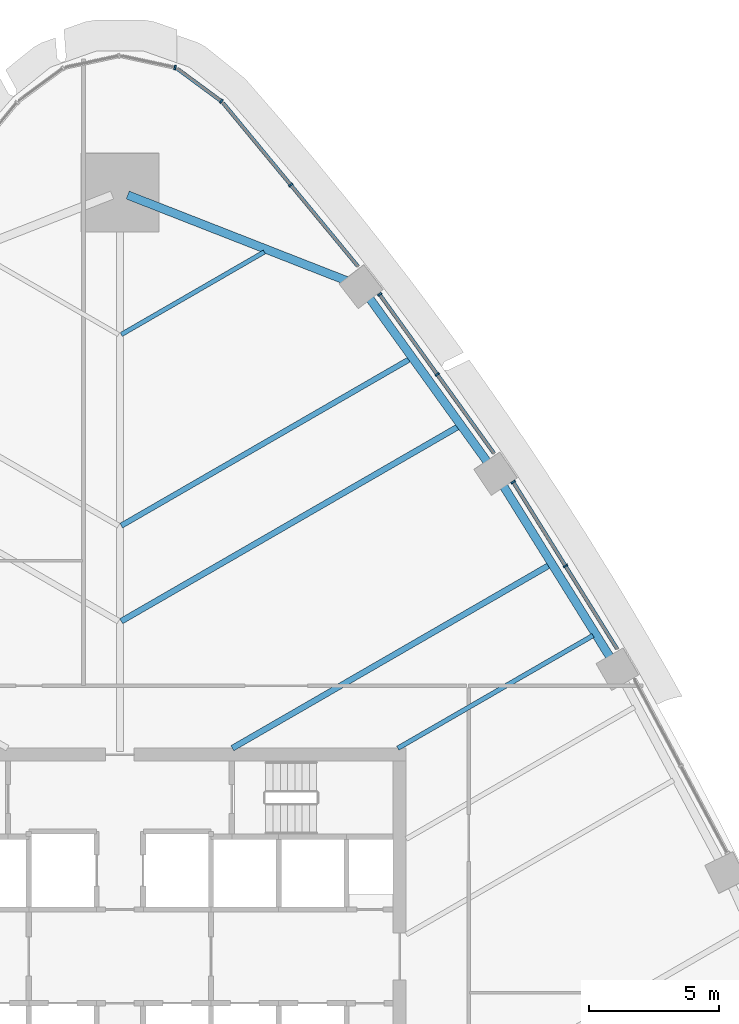
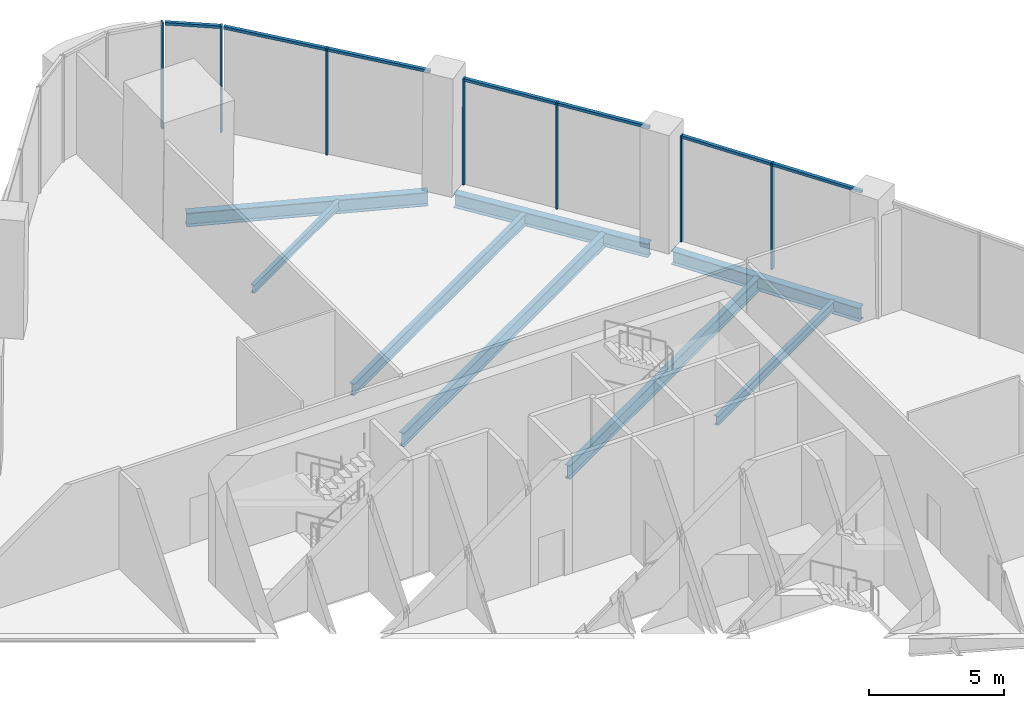
# One storey, part 7 of 16: 14 members, 8 beams, 5 elements without a shape of their own.
"""IFC4 building model written with IfcOpenShell, lengths in metres."""

from ifc_helpers import new_model, si_unit, direction, frame, origin, origin_2d, place, context, subcontext, project, spatial, rectangle, i_section, extrude, material, layer, layer_set, material_profile, profile_set, type_object, element, aggregate, save


model = new_model("IFC4")

# Units and contexts
model_context = context("Model", 3, precision=1e-05, world=origin(), true_north=direction((0.0, 1.0)))
body_context = subcontext(model_context, "Body", "Model", "MODEL_VIEW")
ifc_project = project(units=[si_unit("LENGTHUNIT", "METRE"), si_unit("AREAUNIT", "SQUARE_METRE"), si_unit("VOLUMEUNIT", "CUBIC_METRE"), si_unit("PLANEANGLEUNIT", "RADIAN"), si_unit("MASSUNIT", "GRAM", prefix="KILO")], contexts=[model_context])

# Site, building, storey
site_placement = place(None, origin())
site = spatial("IfcSite", under=ifc_project, at=site_placement, CompositionType="ELEMENT")
building_placement = place(site_placement, origin())
building = spatial("IfcBuilding", under=site, at=building_placement, Name="Sierra Prisma Convention Tower", CompositionType="ELEMENT")
storey_placement = place(building_placement, frame((0.0, 0.0, 107.199951171875)))
storey = spatial("IfcBuildingStorey", under=building, at=storey_placement, Name="L23", CompositionType="ELEMENT", Elevation=107.199951171875)

# Curtain wall, members
ifc_material_1 = material(Name="Aluminium and glass curtain wall", Category="aluminium")
ifc_layer = layer(ifc_material_1, 0.179931640625)
ifc_layer_set = layer_set([ifc_layer], Name="CW-1 Plain shaft curtain wall")
curtain_wall_type = type_object("IfcCurtainWallType", Name="CW-1 Plain shaft curtain wall", PredefinedType="NOTDEFINED", material=ifc_layer_set)
curtain_wall_1_placement = place(storey_placement, origin())
curtain_wall_1 = element("IfcCurtainWall", 1, at=curtain_wall_1_placement, inside=storey, type_object=curtain_wall_type, Name="CW-1 NE4 L23", PredefinedType="NOTDEFINED")
ifc_material_2 = material(Name="Aluminium 6063-T6 bronze anodised", Category="aluminium")
ifc_material_profile_1 = material_profile(ifc_material_2, rectangle(XDim=0.179931640625, YDim=0.070068359375, at=origin_2d()), Name="ALU MULLION 70x180")
ifc_profile_set_1 = profile_set([ifc_material_profile_1], Name="Aluminium 6063-T6 bronze anodised")
member_type_1 = type_object("IfcMemberType", Name="CW mullion bronze", PredefinedType="MULLION", material=ifc_profile_set_1)
member_1_placement = place(storey_placement, frame((17.117919921875, 15.0009765625, 0.0), z_axis=(0.0, 0.0, 1.0), x_axis=(-0.848873506937, -0.528596035948, 0.0)))
member_1 = element("IfcMember", 2, at=member_1_placement, type_object=member_type_1, Name="CW-1 mullion NE4.2", PredefinedType="MULLION", context=body_context, shape_type="SweptSolid", body=[
    extrude(rectangle(XDim=0.179931640625, YDim=0.070068359375, at=origin_2d()), origin(), (0.0, 0.0, 1.0), 4.800048828125),
])
member_2_placement = place(storey_placement, frame((15.109130859375, 18.226806640625, 0.0), z_axis=(0.0, 0.0, 1.0), x_axis=(-0.848873506937, -0.528596035948, 0.0)))
member_2 = element("IfcMember", 3, at=member_2_placement, type_object=member_type_1, Name="CW-1 mullion NE4.3", PredefinedType="MULLION", context=body_context, shape_type="SweptSolid", body=[
    extrude(rectangle(XDim=0.179931640625, YDim=0.070068359375, at=origin_2d()), origin(), (0.0, 0.0, 1.0), 4.800048828125),
])

curtain_wall_2_placement = place(storey_placement, origin())
curtain_wall_2 = element("IfcCurtainWall", 4, at=curtain_wall_2_placement, inside=storey, type_object=curtain_wall_type, Name="CW-1 NE5 L23", PredefinedType="NOTDEFINED")
member_3_placement = place(storey_placement, frame((12.18603515625, 22.364013671875, 0.0), z_axis=(0.0, 0.0, 1.0), x_axis=(-0.811758193893, -0.583993694014, 0.0)))
member_3 = element("IfcMember", 5, at=member_3_placement, type_object=member_type_1, Name="CW-1 mullion NE5.2", PredefinedType="MULLION", context=body_context, shape_type="SweptSolid", body=[
    extrude(rectangle(XDim=0.179931640625, YDim=0.070068359375, at=origin_2d()), origin(), (0.0, 0.0, 1.0), 4.800048828125),
])
member_4_placement = place(storey_placement, frame((9.975830078125, 25.43603515625, 0.0), z_axis=(0.0, 0.0, 1.0), x_axis=(-0.811758193893, -0.583993694014, 0.0)))
member_4 = element("IfcMember", 6, at=member_4_placement, type_object=member_type_1, Name="CW-1 mullion NE5.3", PredefinedType="MULLION", context=body_context, shape_type="SweptSolid", body=[
    extrude(rectangle(XDim=0.179931640625, YDim=0.070068359375, at=origin_2d()), origin(), (0.0, 0.0, 1.0), 4.800048828125),
])

# Curtain wall, member
curtain_wall_3_placement = place(storey_placement, origin())
curtain_wall_3 = element("IfcCurtainWall", 7, at=curtain_wall_3_placement, inside=storey, type_object=curtain_wall_type, Name="CW-1 NE6 L23", PredefinedType="NOTDEFINED")
member_5_placement = place(storey_placement, frame((6.560546875, 29.642333984375, 0.0), z_axis=(0.0, 0.0, 1.0), x_axis=(-0.771033441088, -0.636794655069, 0.0)))
member_5 = element("IfcMember", 8, at=member_5_placement, type_object=member_type_1, Name="CW-1 mullion NE6.2", PredefinedType="MULLION", context=body_context, shape_type="SweptSolid", body=[
    extrude(rectangle(XDim=0.179931640625, YDim=0.070068359375, at=origin_2d()), origin(), (0.0, 0.0, 1.0), 4.800048828125),
])

curtain_wall_4_placement = place(storey_placement, origin())
curtain_wall_4 = element("IfcCurtainWall", 9, at=curtain_wall_4_placement, inside=storey, type_object=curtain_wall_type, Name="CW-1 N1 L23", PredefinedType="NOTDEFINED")
member_6_placement = place(storey_placement, frame((3.895263671875, 32.85595703125, 0.0), z_axis=(0.0, 0.0, 1.0), x_axis=(-0.593448438841, -0.80487200873, 0.0)))
member_6 = element("IfcMember", 10, at=member_6_placement, type_object=member_type_1, Name="CW-1 mullion N1.1", PredefinedType="MULLION", context=body_context, shape_type="SweptSolid", body=[
    extrude(rectangle(XDim=0.179931640625, YDim=0.070068359375, at=origin_2d()), origin(), (0.0, 0.0, 1.0), 4.800048828125),
])

curtain_wall_5_placement = place(storey_placement, origin())
curtain_wall_5 = element("IfcCurtainWall", 11, at=curtain_wall_5_placement, inside=storey, type_object=curtain_wall_type, Name="CW-1 N2 L23", PredefinedType="NOTDEFINED")
member_7_placement = place(storey_placement, frame((2.11767578125, 34.148681640625, 0.0), z_axis=(0.0, 0.0, 1.0), x_axis=(-0.210199343942, -0.977658547657, 0.0)))
member_7 = element("IfcMember", 12, at=member_7_placement, type_object=member_type_1, Name="CW-1 mullion N2.1", PredefinedType="MULLION", context=body_context, shape_type="SweptSolid", body=[
    extrude(rectangle(XDim=0.179931640625, YDim=0.070068359375, at=origin_2d()), origin(), (0.0, 0.0, 1.0), 4.800048828125),
])
aggregate(curtain_wall_5, [member_7])

# Member
ifc_material_3 = material(Name="Aluminium 6063-T6 bronze anodised", Category="aluminium")
ifc_material_profile_2 = material_profile(ifc_material_3, rectangle(XDim=0.139892578125, YDim=0.1201171875, at=origin_2d()), Name="ALU TRANSOM 120x140")
ifc_profile_set_2 = profile_set([ifc_material_profile_2], Name="Aluminium 6063-T6 bronze anodised")
member_type_2 = type_object("IfcMemberType", Name="CW transom bronze", PredefinedType="USERDEFINED", material=ifc_profile_set_2)
member_8_placement = place(storey_placement, frame((19.10791015625, 11.80517578125, 4.739990234375), z_axis=(-0.528603839694, 0.848868647472, 0.0), x_axis=(-0.848868647472, -0.528603839694, 0.0)))
member_8 = element("IfcMember", 13, at=member_8_placement, type_object=member_type_2, Name="CW-1 transom NE4.1", ObjectType="TRANSOM", PredefinedType="USERDEFINED", context=body_context, shape_type="SweptSolid", body=[
    extrude(rectangle(XDim=0.139892578125, YDim=0.1201171875, at=origin_2d()), origin(), (0.0, 0.0, 1.0), 3.72998046875),
])

member_9_placement = place(storey_placement, frame((17.099365234375, 15.03076171875, 4.739990234375), z_axis=(-0.528603839694, 0.848868647472, 0.0), x_axis=(-0.848868647472, -0.528603839694, 0.0)))
member_9 = element("IfcMember", 14, at=member_9_placement, type_object=member_type_2, Name="CW-1 transom NE4.2", ObjectType="TRANSOM", PredefinedType="USERDEFINED", context=body_context, shape_type="SweptSolid", body=[
    extrude(rectangle(XDim=0.139892578125, YDim=0.1201171875, at=origin_2d()), origin(), (0.0, 0.0, 1.0), 3.72998046875),
])

aggregate(curtain_wall_1, [member_1, member_2, member_8, member_9])

member_10_placement = place(storey_placement, frame((14.375732421875, 19.3203125, 4.739990234375), z_axis=(-0.584044976134, 0.811721298139, 0.0), x_axis=(-0.811721298139, -0.584044976134, 0.0)))
member_10 = element("IfcMember", 15, at=member_10_placement, type_object=member_type_2, Name="CW-1 transom NE5.1", ObjectType="TRANSOM", PredefinedType="USERDEFINED", context=body_context, shape_type="SweptSolid", body=[
    extrude(rectangle(XDim=0.139892578125, YDim=0.1201171875, at=origin_2d()), origin(), (0.0, 0.0, 1.0), 3.714599609375),
])

member_11_placement = place(storey_placement, frame((12.16552734375, 22.392333984375, 4.739990234375), z_axis=(-0.583970508517, 0.811774873461, 0.0), x_axis=(-0.811774873461, -0.583970508517, 0.0)))
member_11 = element("IfcMember", 16, at=member_11_placement, type_object=member_type_2, Name="CW-1 transom NE5.2", ObjectType="TRANSOM", PredefinedType="USERDEFINED", context=body_context, shape_type="SweptSolid", body=[
    extrude(rectangle(XDim=0.139892578125, YDim=0.1201171875, at=origin_2d()), origin(), (0.0, 0.0, 1.0), 3.714599609375),
])

aggregate(curtain_wall_2, [member_3, member_4, member_10, member_11])

member_12_placement = place(storey_placement, frame((9.153076171875, 26.503173828125, 4.739990234375), z_axis=(-0.636804849916, 0.771025021075, 0.0), x_axis=(-0.771025021075, -0.636804849916, 0.0)))
member_12 = element("IfcMember", 17, at=member_12_placement, type_object=member_type_2, Name="CW-1 transom NE6.1", ObjectType="TRANSOM", PredefinedType="USERDEFINED", context=body_context, shape_type="SweptSolid", body=[
    extrude(rectangle(XDim=0.139892578125, YDim=0.1201171875, at=origin_2d()), origin(), (0.0, 0.0, 1.0), 4.036376953125),
])

member_13_placement = place(storey_placement, frame((6.538330078125, 29.669189453125, 4.739990234375), z_axis=(-0.636804849916, 0.771025021075, 0.0), x_axis=(-0.771025021075, -0.636804849916, 0.0)))
member_13 = element("IfcMember", 18, at=member_13_placement, type_object=member_type_2, Name="CW-1 transom NE6.2", ObjectType="TRANSOM", PredefinedType="USERDEFINED", context=body_context, shape_type="SweptSolid", body=[
    extrude(rectangle(XDim=0.139892578125, YDim=0.1201171875, at=origin_2d()), origin(), (0.0, 0.0, 1.0), 4.036376953125),
])

aggregate(curtain_wall_3, [member_5, member_12, member_13])

member_14_placement = place(storey_placement, frame((3.8671875, 32.876708984375, 4.739990234375), z_axis=(-0.804877166804, 0.593441443074, 0.0), x_axis=(-0.593441443074, -0.804877166804, 0.0)))
member_14 = element("IfcMember", 19, at=member_14_placement, type_object=member_type_2, Name="CW-1 transom N1.1", ObjectType="TRANSOM", PredefinedType="USERDEFINED", context=body_context, shape_type="SweptSolid", body=[
    extrude(rectangle(XDim=0.139892578125, YDim=0.1201171875, at=origin_2d()), origin(), (0.0, 0.0, 1.0), 2.06103515625),
])

aggregate(curtain_wall_4, [member_6, member_14])

# Beams
ifc_material_4 = material(Name="Steel ASTM A992 Gr 50", Category="steel")
ifc_material_profile_3 = material_profile(ifc_material_4, i_section(OverallWidth=0.172119140625, OverallDepth=0.35791015625, WebThickness=0.0078125, FlangeThickness=0.01318359375, at=origin_2d()), Name="W360x57")
ifc_profile_set_3 = profile_set([ifc_material_profile_3], Name="Steel ASTM A992 Gr 50")
beam_type_1 = type_object("IfcBeamType", Name="Floor joist W360x57", PredefinedType="JOIST", material=ifc_profile_set_3)
beam_1_placement = place(storey_placement, frame((5.547119140625, 27.064453125, -0.328857421875), z_axis=(-0.86602024565, -0.500008934044, 0.0), x_axis=(0.500008934044, -0.86602024565, 0.0)))
element("IfcBeam", 20, at=beam_1_placement, inside=storey, type_object=beam_type_1, Name="Floor joist L23 NE15", PredefinedType="JOIST", context=body_context, shape_type="SweptSolid", body=[
    extrude(i_section(OverallWidth=0.172119140625, OverallDepth=0.35791015625, WebThickness=0.0078125, FlangeThickness=0.01318359375, at=origin_2d()), origin(), (0.0, 0.0, 1.0), 6.34423828125),
])
ifc_material_5 = material(Name="Steel ASTM A992 Gr 50", Category="steel")
ifc_material_profile_4 = material_profile(ifc_material_5, i_section(OverallWidth=0.177978515625, OverallDepth=0.406982421875, WebThickness=0.0078125, FlangeThickness=0.0126953125, at=origin_2d()), Name="W410x60")
ifc_profile_set_4 = profile_set([ifc_material_profile_4], Name="Steel ASTM A992 Gr 50")
beam_type_2 = type_object("IfcBeamType", Name="Floor joist W410x60", PredefinedType="JOIST", material=ifc_profile_set_4)
beam_2_placement = place(storey_placement, frame((18.177490234375, 12.330322265625, -0.353515625), z_axis=(-0.866022689266, -0.500004701654, 0.0), x_axis=(0.500004701654, -0.866022689266, 0.0)))
element("IfcBeam", 21, at=beam_2_placement, inside=storey, type_object=beam_type_2, Name="Floor joist L23 NE09", PredefinedType="JOIST", context=body_context, shape_type="SweptSolid", body=[
    extrude(i_section(OverallWidth=0.177978515625, OverallDepth=0.406982421875, WebThickness=0.0078125, FlangeThickness=0.0126953125, at=origin_2d()), origin(), (0.0, 0.0, 1.0), 8.66064453125),
])
ifc_material_6 = material(Name="Steel ASTM A992 Gr 50", Category="steel")
ifc_material_profile_5 = material_profile(ifc_material_6, i_section(OverallWidth=0.208984375, OverallDepth=0.532958984375, WebThickness=0.01025390625, FlangeThickness=0.015625, at=origin_2d()), Name="W530x92")
ifc_profile_set_5 = profile_set([ifc_material_profile_5], Name="Steel ASTM A992 Gr 50")
beam_type_3 = type_object("IfcBeamType", Name="Floor joist W530x92", PredefinedType="JOIST", material=ifc_profile_set_5)
beam_3_placement = place(storey_placement, frame((11.13427734375, 22.9482421875, -0.41650390625), z_axis=(-0.866020044828, -0.500009281869, 0.0), x_axis=(0.500009281869, -0.866020044828, 0.0)))
element("IfcBeam", 22, at=beam_3_placement, inside=storey, type_object=beam_type_3, Name="Floor joist L23 NE13", PredefinedType="JOIST", context=body_context, shape_type="SweptSolid", body=[
    extrude(i_section(OverallWidth=0.208984375, OverallDepth=0.532958984375, WebThickness=0.01025390625, FlangeThickness=0.015625, at=origin_2d()), origin(), (0.0, 0.0, 1.0), 12.795654296875),
])
ifc_material_7 = material(Name="Steel ASTM A992 Gr 50", Category="steel")
ifc_material_profile_6 = material_profile(ifc_material_7, i_section(OverallWidth=0.22802734375, OverallDepth=0.60302734375, WebThickness=0.010498046875, FlangeThickness=0.014892578125, at=origin_2d()), Name="W610x101")
ifc_profile_set_6 = profile_set([ifc_material_profile_6], Name="Steel ASTM A992 Gr 50")
beam_type_4 = type_object("IfcBeamType", Name="Floor joist W610x101", PredefinedType="JOIST", material=ifc_profile_set_6)
beam_4_placement = place(storey_placement, frame((16.495849609375, 15.030517578125, -0.451416015625), z_axis=(-0.86602163984, -0.500006519287, 0.0), x_axis=(0.500006519287, -0.86602163984, 0.0)))
element("IfcBeam", 23, at=beam_4_placement, inside=storey, type_object=beam_type_4, Name="Floor joist L23 NE10", PredefinedType="JOIST", context=body_context, shape_type="SweptSolid", body=[
    extrude(i_section(OverallWidth=0.22802734375, OverallDepth=0.60302734375, WebThickness=0.010498046875, FlangeThickness=0.014892578125, at=origin_2d()), origin(), (0.0, 0.0, 1.0), 14.060791015625),
])
beam_5_placement = place(storey_placement, frame((13.000244140625, 20.3544921875, -0.451416015625), z_axis=(-0.866025682925, -0.499999516514, 0.0), x_axis=(0.499999516514, -0.866025682925, 0.0)))
element("IfcBeam", 24, at=beam_5_placement, inside=storey, type_object=beam_type_4, Name="Floor joist L23 NE12", PredefinedType="JOIST", context=body_context, shape_type="SweptSolid", body=[
    extrude(i_section(OverallWidth=0.22802734375, OverallDepth=0.60302734375, WebThickness=0.010498046875, FlangeThickness=0.014892578125, at=origin_2d()), origin(), (0.0, 0.0, 1.0), 14.9501953125),
])
ifc_material_8 = material(Name="Steel ASTM A992 Gr 50", Category="steel")
ifc_material_profile_7 = material_profile(ifc_material_8, i_section(OverallWidth=0.324951171875, OverallDepth=0.615966796875, WebThickness=0.013916015625, FlangeThickness=0.021484375, at=origin_2d()), Name="W610x174")
ifc_profile_set_7 = profile_set([ifc_material_profile_7], Name="Steel ASTM A992 Gr 50")
beam_type_5 = type_object("IfcBeamType", Name="Spandrel beam W610x174", PredefinedType="BEAM", material=ifc_profile_set_7)
for number, where, z_axis, x_axis, name in (
    (25, (18.86181640625, 11.444091796875, -0.4580078125), (-0.528600076966, 0.84887099057, 0.0), (-0.84887099057, -0.528600076966, 0.0), "Spandrel L23-10"),
    (26, (14.154052734375, 18.943603515625, -0.4580078125), (-0.583984532445, 0.811764784814, 0.0), (-0.811764784814, -0.583984532445, 0.0), "Spandrel L23-11"),
):
    element("IfcBeam", number, at=place(storey_placement, frame(where, z_axis=z_axis, x_axis=x_axis)), inside=storey, type_object=beam_type_5, Name=name, PredefinedType="BEAM", context=body_context, shape_type="SweptSolid", body=[
        extrude(i_section(OverallWidth=0.324951171875, OverallDepth=0.615966796875, WebThickness=0.013916015625, FlangeThickness=0.021484375, at=origin_2d()), origin(), (0.0, 0.0, 1.0), 7.89501953125),
    ])
beam_6_placement = place(storey_placement, frame((8.72314453125, 25.953857421875, -0.4580078125), z_axis=(-0.931200562026, 0.364507219795, 0.0), x_axis=(-0.364507219795, -0.931200562026, 0.0)))
element("IfcBeam", 27, at=beam_6_placement, inside=storey, type_object=beam_type_5, Name="Spandrel L23-12", PredefinedType="BEAM", context=body_context, shape_type="SweptSolid", body=[
    extrude(i_section(OverallWidth=0.324951171875, OverallDepth=0.615966796875, WebThickness=0.013916015625, FlangeThickness=0.021484375, at=origin_2d()), origin(), (0.0, 0.0, 1.0), 9.04541015625),
])

save(model, "model.ifc")
